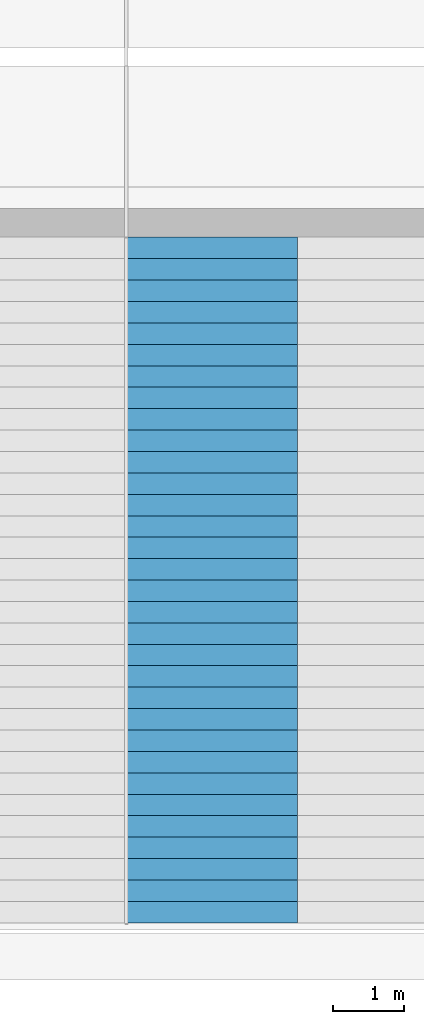
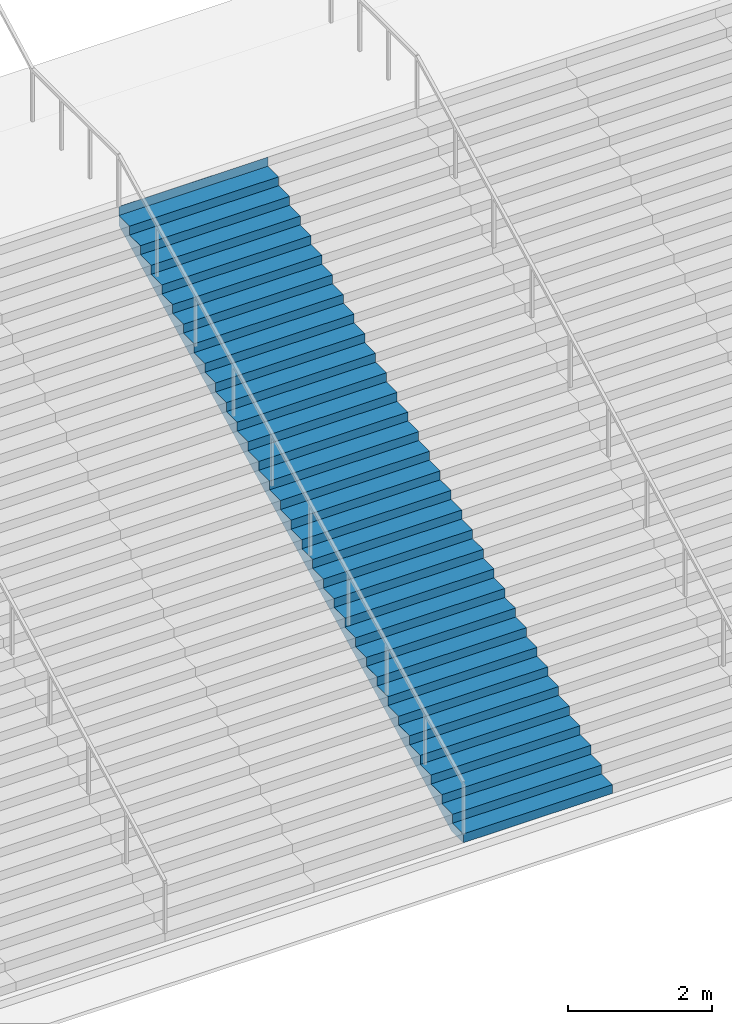
# One storey, part 35 of 57: 1 stair flight, 1 element without a shape of its own.
"""IFC4 building model written with IfcOpenShell, lengths in metres."""

from ifc_helpers import new_model, si_unit, direction, frame, origin, place, context, subcontext, project, spatial, triangles, material, type_object, element, aggregate, save


model = new_model("IFC4")

# Units and contexts
model_context = context("Model", 3, precision=1e-05, world=origin(), true_north=direction((0.0, 1.0)))
body_context = subcontext(model_context, "Body", "Model", "MODEL_VIEW")
ifc_project = project(units=[si_unit("LENGTHUNIT", "METRE"), si_unit("AREAUNIT", "SQUARE_METRE"), si_unit("VOLUMEUNIT", "CUBIC_METRE"), si_unit("PLANEANGLEUNIT", "RADIAN"), si_unit("MASSUNIT", "GRAM", prefix="KILO")], contexts=[model_context])

# Site, building, storey
site_placement = place(None, origin())
site = spatial("IfcSite", under=ifc_project, at=site_placement, CompositionType="ELEMENT")
building_placement = place(site_placement, origin())
building = spatial("IfcBuilding", under=site, at=building_placement, Name="Beryl Residences", CompositionType="ELEMENT")
storey_placement = place(building_placement, origin())
storey = spatial("IfcBuildingStorey", under=building, at=storey_placement, Name="L00", CompositionType="ELEMENT", Elevation=0.0)

# Stair, stair flight
ifc_material_1 = material(Name="Precast concrete C40/50", Category="concrete")
stair_type = type_object("IfcStairType", Name="GS1 garden stair", PredefinedType="STRAIGHT_RUN_STAIR", material=ifc_material_1)
stair_placement = place(storey_placement, origin())
stair = element("IfcStair", 1, at=stair_placement, inside=storey, type_object=stair_type, Name="GS1 garden stair", PredefinedType="STRAIGHT_RUN_STAIR")
ifc_material_2 = material(Name="Precast concrete C40/50", Category="concrete")
stair_flight_type = type_object("IfcStairFlightType", Name="GF1 garden stair flight", PredefinedType="STRAIGHT", material=ifc_material_2)
stair_flight_placement = place(storey_placement, frame((1.199951171875, -54.199951171875, 0.0), z_axis=(0.0, 0.0, 1.0), x_axis=(0.0, 1.0, 0.0)))
stair_flight = element("IfcStairFlight", 2, at=stair_flight_placement, type_object=stair_flight_type, Name="GS1 flight 6", NumberOfRisers=33, NumberOfTreads=32, PredefinedType="STRAIGHT", RiserHeight=0.151515152, TreadLength=0.3, context=body_context, shape_type="Tessellation", body=[
    triangles([(0.0, -1.199951171875, 0.0), (0.0, -0.60009765625, 0.0), (0.0, 0.0, 0.0), (0.0, 0.60009765625, 0.0), (0.0, 1.199951171875, 0.0), (0.0, -1.199951171875, 0.151611328125), (0.0, -0.60009765625, 0.151611328125), (0.0, 0.0, 0.151611328125), (0.0, 0.60009765625, 0.151611328125), (0.0, 1.199951171875, 0.151611328125), (0.300048828125, -1.199951171875, 0.151611328125), (0.300048828125, -0.60009765625, 0.151611328125), (0.300048828125, 0.0, 0.151611328125), (0.300048828125, 0.60009765625, 0.151611328125), (0.300048828125, 1.199951171875, 0.151611328125), (0.300048828125, -1.199951171875, 0.302978515625), (0.300048828125, -0.60009765625, 0.302978515625), (0.300048828125, 0.0, 0.302978515625), (0.300048828125, 0.60009765625, 0.302978515625), (0.300048828125, 1.199951171875, 0.302978515625), (0.60009765625, -1.199951171875, 0.302978515625), (0.60009765625, -0.60009765625, 0.302978515625), (0.60009765625, 0.0, 0.302978515625), (0.60009765625, 0.60009765625, 0.302978515625), (0.60009765625, 1.199951171875, 0.302978515625), (0.60009765625, -1.199951171875, 0.45458984375), (0.60009765625, -0.60009765625, 0.45458984375), (0.60009765625, 0.0, 0.45458984375), (0.60009765625, 0.60009765625, 0.45458984375), (0.60009765625, 1.199951171875, 0.45458984375), (0.89990234375, -1.199951171875, 0.45458984375), (0.89990234375, -0.60009765625, 0.45458984375), (0.89990234375, 0.0, 0.45458984375), (0.89990234375, 0.60009765625, 0.45458984375), (0.89990234375, 1.199951171875, 0.45458984375), (0.89990234375, -1.199951171875, 0.60595703125), (0.89990234375, -0.60009765625, 0.60595703125), (0.89990234375, 0.0, 0.60595703125), (0.89990234375, 0.60009765625, 0.60595703125), (0.89990234375, 1.199951171875, 0.60595703125), (1.199951171875, -1.199951171875, 0.60595703125), (1.199951171875, -0.60009765625, 0.60595703125), (1.199951171875, 0.0, 0.60595703125), (1.199951171875, 0.60009765625, 0.60595703125), (1.199951171875, 1.199951171875, 0.60595703125), (1.199951171875, -1.199951171875, 0.757568359375), (1.199951171875, -0.60009765625, 0.757568359375), (1.199951171875, 0.0, 0.757568359375), (1.199951171875, 0.60009765625, 0.757568359375), (1.199951171875, 1.199951171875, 0.757568359375), (1.5, -1.199951171875, 0.757568359375), (1.5, -0.60009765625, 0.757568359375), (1.5, 0.0, 0.757568359375), (1.5, 0.60009765625, 0.757568359375), (1.5, 1.199951171875, 0.757568359375), (1.5, -1.199951171875, 0.9091796875), (1.5, -0.60009765625, 0.9091796875), (1.5, 0.0, 0.9091796875), (1.5, 0.60009765625, 0.9091796875), (1.5, 1.199951171875, 0.9091796875), (1.800048828125, -1.199951171875, 0.9091796875), (1.800048828125, -0.60009765625, 0.9091796875), (1.800048828125, 0.0, 0.9091796875), (1.800048828125, 0.60009765625, 0.9091796875), (1.800048828125, 1.199951171875, 0.9091796875), (1.800048828125, -1.199951171875, 1.060546875), (1.800048828125, -0.60009765625, 1.060546875), (1.800048828125, 0.0, 1.060546875), (1.800048828125, 0.60009765625, 1.060546875), (1.800048828125, 1.199951171875, 1.060546875), (2.10009765625, -1.199951171875, 1.060546875), (2.10009765625, -0.60009765625, 1.060546875), (2.10009765625, 0.0, 1.060546875), (2.10009765625, 0.60009765625, 1.060546875), (2.10009765625, 1.199951171875, 1.060546875), (2.10009765625, -1.199951171875, 1.212158203125), (2.10009765625, -0.60009765625, 1.212158203125), (2.10009765625, 0.0, 1.212158203125), (2.10009765625, 0.60009765625, 1.212158203125), (2.10009765625, 1.199951171875, 1.212158203125), (2.39990234375, -1.199951171875, 1.212158203125), (2.39990234375, -0.60009765625, 1.212158203125), (2.39990234375, 0.0, 1.212158203125), (2.39990234375, 0.60009765625, 1.212158203125), (2.39990234375, 1.199951171875, 1.212158203125), (2.39990234375, -1.199951171875, 1.363525390625), (2.39990234375, -0.60009765625, 1.363525390625), (2.39990234375, 0.0, 1.363525390625), (2.39990234375, 0.60009765625, 1.363525390625), (2.39990234375, 1.199951171875, 1.363525390625), (2.699951171875, -1.199951171875, 1.363525390625), (2.699951171875, -0.60009765625, 1.363525390625), (2.699951171875, 0.0, 1.363525390625), (2.699951171875, 0.60009765625, 1.363525390625), (2.699951171875, 1.199951171875, 1.363525390625), (2.699951171875, -1.199951171875, 1.51513671875), (2.699951171875, -0.60009765625, 1.51513671875), (2.699951171875, 0.0, 1.51513671875), (2.699951171875, 0.60009765625, 1.51513671875), (2.699951171875, 1.199951171875, 1.51513671875), (3.0, -1.199951171875, 1.51513671875), (3.0, -0.60009765625, 1.51513671875), (3.0, 0.0, 1.51513671875), (3.0, 0.60009765625, 1.51513671875), (3.0, 1.199951171875, 1.51513671875), (3.0, -1.199951171875, 1.666748046875), (3.0, -0.60009765625, 1.666748046875), (3.0, 0.0, 1.666748046875), (3.0, 0.60009765625, 1.666748046875), (3.0, 1.199951171875, 1.666748046875), (3.300048828125, -1.199951171875, 1.666748046875), (3.300048828125, -0.60009765625, 1.666748046875), (3.300048828125, 0.0, 1.666748046875), (3.300048828125, 0.60009765625, 1.666748046875), (3.300048828125, 1.199951171875, 1.666748046875), (3.300048828125, -1.199951171875, 1.818115234375), (3.300048828125, -0.60009765625, 1.818115234375), (3.300048828125, 0.0, 1.818115234375), (3.300048828125, 0.60009765625, 1.818115234375), (3.300048828125, 1.199951171875, 1.818115234375), (3.60009765625, -1.199951171875, 1.818115234375), (3.60009765625, -0.60009765625, 1.818115234375), (3.60009765625, 0.0, 1.818115234375), (3.60009765625, 0.60009765625, 1.818115234375), (3.60009765625, 1.199951171875, 1.818115234375), (3.60009765625, -1.199951171875, 1.9697265625), (3.60009765625, -0.60009765625, 1.9697265625), (3.60009765625, 0.0, 1.9697265625), (3.60009765625, 0.60009765625, 1.9697265625), (3.60009765625, 1.199951171875, 1.9697265625), (3.89990234375, -1.199951171875, 1.9697265625), (3.89990234375, -0.60009765625, 1.9697265625), (3.89990234375, 0.0, 1.9697265625), (3.89990234375, 0.60009765625, 1.9697265625), (3.89990234375, 1.199951171875, 1.9697265625), (3.89990234375, -1.199951171875, 2.12109375), (3.89990234375, -0.60009765625, 2.12109375), (3.89990234375, 0.0, 2.12109375), (3.89990234375, 0.60009765625, 2.12109375), (3.89990234375, 1.199951171875, 2.12109375), (4.199951171875, -1.199951171875, 2.12109375), (4.199951171875, -0.60009765625, 2.12109375), (4.199951171875, 0.0, 2.12109375), (4.199951171875, 0.60009765625, 2.12109375), (4.199951171875, 1.199951171875, 2.12109375), (4.199951171875, -1.199951171875, 2.272705078125), (4.199951171875, -0.60009765625, 2.272705078125), (4.199951171875, 0.0, 2.272705078125), (4.199951171875, 0.60009765625, 2.272705078125), (4.199951171875, 1.199951171875, 2.272705078125), (4.5, -1.199951171875, 2.272705078125), (4.5, -0.60009765625, 2.272705078125), (4.5, 0.0, 2.272705078125), (4.5, 0.60009765625, 2.272705078125), (4.5, 1.199951171875, 2.272705078125), (4.5, -1.199951171875, 2.42431640625), (4.5, -0.60009765625, 2.42431640625), (4.5, 0.0, 2.42431640625), (4.5, 0.60009765625, 2.42431640625), (4.5, 1.199951171875, 2.42431640625), (4.800048828125, -1.199951171875, 2.42431640625), (4.800048828125, -0.60009765625, 2.42431640625), (4.800048828125, 0.0, 2.42431640625), (4.800048828125, 0.60009765625, 2.42431640625), (4.800048828125, 1.199951171875, 2.42431640625), (4.800048828125, -1.199951171875, 2.57568359375), (4.800048828125, -0.60009765625, 2.57568359375), (4.800048828125, 0.0, 2.57568359375), (4.800048828125, 0.60009765625, 2.57568359375), (4.800048828125, 1.199951171875, 2.57568359375), (5.10009765625, -1.199951171875, 2.57568359375), (5.10009765625, -0.60009765625, 2.57568359375), (5.10009765625, 0.0, 2.57568359375), (5.10009765625, 0.60009765625, 2.57568359375), (5.10009765625, 1.199951171875, 2.57568359375), (5.10009765625, -1.199951171875, 2.727294921875), (5.10009765625, -0.60009765625, 2.727294921875), (5.10009765625, 0.0, 2.727294921875), (5.10009765625, 0.60009765625, 2.727294921875), (5.10009765625, 1.199951171875, 2.727294921875), (5.39990234375, -1.199951171875, 2.727294921875), (5.39990234375, -0.60009765625, 2.727294921875), (5.39990234375, 0.0, 2.727294921875), (5.39990234375, 0.60009765625, 2.727294921875), (5.39990234375, 1.199951171875, 2.727294921875), (5.39990234375, -1.199951171875, 2.87890625), (5.39990234375, -0.60009765625, 2.87890625), (5.39990234375, 0.0, 2.87890625), (5.39990234375, 0.60009765625, 2.87890625), (5.39990234375, 1.199951171875, 2.87890625), (5.699951171875, -1.199951171875, 2.87890625), (5.699951171875, -0.60009765625, 2.87890625), (5.699951171875, 0.0, 2.87890625), (5.699951171875, 0.60009765625, 2.87890625), (5.699951171875, 1.199951171875, 2.87890625), (5.699951171875, -1.199951171875, 3.0302734375), (5.699951171875, -0.60009765625, 3.0302734375), (5.699951171875, 0.0, 3.0302734375), (5.699951171875, 0.60009765625, 3.0302734375), (5.699951171875, 1.199951171875, 3.0302734375), (6.0, -1.199951171875, 3.0302734375), (6.0, -0.60009765625, 3.0302734375), (6.0, 0.0, 3.0302734375), (6.0, 0.60009765625, 3.0302734375), (6.0, 1.199951171875, 3.0302734375), (6.0, -1.199951171875, 3.181884765625), (6.0, -0.60009765625, 3.181884765625), (6.0, 0.0, 3.181884765625), (6.0, 0.60009765625, 3.181884765625), (6.0, 1.199951171875, 3.181884765625), (6.300048828125, -1.199951171875, 3.181884765625), (6.300048828125, -0.60009765625, 3.181884765625), (6.300048828125, 0.0, 3.181884765625), (6.300048828125, 0.60009765625, 3.181884765625), (6.300048828125, 1.199951171875, 3.181884765625), (6.300048828125, -1.199951171875, 3.333251953125), (6.300048828125, -0.60009765625, 3.333251953125), (6.300048828125, 0.0, 3.333251953125), (6.300048828125, 0.60009765625, 3.333251953125), (6.300048828125, 1.199951171875, 3.333251953125), (6.60009765625, -1.199951171875, 3.333251953125), (6.60009765625, -0.60009765625, 3.333251953125), (6.60009765625, 0.0, 3.333251953125), (6.60009765625, 0.60009765625, 3.333251953125), (6.60009765625, 1.199951171875, 3.333251953125), (6.60009765625, -1.199951171875, 3.48486328125), (6.60009765625, -0.60009765625, 3.48486328125), (6.60009765625, 0.0, 3.48486328125), (6.60009765625, 0.60009765625, 3.48486328125), (6.60009765625, 1.199951171875, 3.48486328125), (6.89990234375, -1.199951171875, 3.48486328125), (6.89990234375, -0.60009765625, 3.48486328125), (6.89990234375, 0.0, 3.48486328125), (6.89990234375, 0.60009765625, 3.48486328125), (6.89990234375, 1.199951171875, 3.48486328125), (6.89990234375, -1.199951171875, 3.636474609375), (6.89990234375, -0.60009765625, 3.636474609375), (6.89990234375, 0.0, 3.636474609375), (6.89990234375, 0.60009765625, 3.636474609375), (6.89990234375, 1.199951171875, 3.636474609375), (7.199951171875, -1.199951171875, 3.636474609375), (7.199951171875, -0.60009765625, 3.636474609375), (7.199951171875, 0.0, 3.636474609375), (7.199951171875, 0.60009765625, 3.636474609375), (7.199951171875, 1.199951171875, 3.636474609375), (7.199951171875, -1.199951171875, 3.787841796875), (7.199951171875, -0.60009765625, 3.787841796875), (7.199951171875, 0.0, 3.787841796875), (7.199951171875, 0.60009765625, 3.787841796875), (7.199951171875, 1.199951171875, 3.787841796875), (7.5, -1.199951171875, 3.787841796875), (7.5, -0.60009765625, 3.787841796875), (7.5, 0.0, 3.787841796875), (7.5, 0.60009765625, 3.787841796875), (7.5, 1.199951171875, 3.787841796875), (7.5, -1.199951171875, 3.939453125), (7.5, -0.60009765625, 3.939453125), (7.5, 0.0, 3.939453125), (7.5, 0.60009765625, 3.939453125), (7.5, 1.199951171875, 3.939453125), (7.800048828125, -1.199951171875, 3.939453125), (7.800048828125, -0.60009765625, 3.939453125), (7.800048828125, 0.0, 3.939453125), (7.800048828125, 0.60009765625, 3.939453125), (7.800048828125, 1.199951171875, 3.939453125), (7.800048828125, -1.199951171875, 4.0908203125), (7.800048828125, -0.60009765625, 4.0908203125), (7.800048828125, 0.0, 4.0908203125), (7.800048828125, 0.60009765625, 4.0908203125), (7.800048828125, 1.199951171875, 4.0908203125), (8.10009765625, -1.199951171875, 4.0908203125), (8.10009765625, -0.60009765625, 4.0908203125), (8.10009765625, 0.0, 4.0908203125), (8.10009765625, 0.60009765625, 4.0908203125), (8.10009765625, 1.199951171875, 4.0908203125), (8.10009765625, -1.199951171875, 4.242431640625), (8.10009765625, -0.60009765625, 4.242431640625), (8.10009765625, 0.0, 4.242431640625), (8.10009765625, 0.60009765625, 4.242431640625), (8.10009765625, 1.199951171875, 4.242431640625), (8.39990234375, -1.199951171875, 4.242431640625), (8.39990234375, -0.60009765625, 4.242431640625), (8.39990234375, 0.0, 4.242431640625), (8.39990234375, 0.60009765625, 4.242431640625), (8.39990234375, 1.199951171875, 4.242431640625), (8.39990234375, -1.199951171875, 4.39404296875), (8.39990234375, -0.60009765625, 4.39404296875), (8.39990234375, 0.0, 4.39404296875), (8.39990234375, 0.60009765625, 4.39404296875), (8.39990234375, 1.199951171875, 4.39404296875), (8.699951171875, -1.199951171875, 4.39404296875), (8.699951171875, -0.60009765625, 4.39404296875), (8.699951171875, 0.0, 4.39404296875), (8.699951171875, 0.60009765625, 4.39404296875), (8.699951171875, 1.199951171875, 4.39404296875), (8.699951171875, -1.199951171875, 4.54541015625), (8.699951171875, -0.60009765625, 4.54541015625), (8.699951171875, 0.0, 4.54541015625), (8.699951171875, 0.60009765625, 4.54541015625), (8.699951171875, 1.199951171875, 4.54541015625), (9.0, -1.199951171875, 4.54541015625), (9.0, -0.60009765625, 4.54541015625), (9.0, 0.0, 4.54541015625), (9.0, 0.60009765625, 4.54541015625), (9.0, 1.199951171875, 4.54541015625), (9.0, -1.199951171875, 4.697021484375), (9.0, -0.60009765625, 4.697021484375), (9.0, 0.0, 4.697021484375), (9.0, 0.60009765625, 4.697021484375), (9.0, 1.199951171875, 4.697021484375), (9.300048828125, -1.199951171875, 4.697021484375), (9.300048828125, -0.60009765625, 4.697021484375), (9.300048828125, 0.0, 4.697021484375), (9.300048828125, 0.60009765625, 4.697021484375), (9.300048828125, 1.199951171875, 4.697021484375), (9.300048828125, -1.199951171875, 4.848388671875), (9.300048828125, -0.60009765625, 4.848388671875), (9.300048828125, 0.0, 4.848388671875), (9.300048828125, 0.60009765625, 4.848388671875), (9.300048828125, 1.199951171875, 4.848388671875), (9.60009765625, -1.199951171875, 4.848388671875), (9.60009765625, -0.60009765625, 4.848388671875), (9.60009765625, 0.0, 4.848388671875), (9.60009765625, 0.60009765625, 4.848388671875), (9.60009765625, 1.199951171875, 4.848388671875), (9.60009765625, -1.199951171875, 5.0), (9.60009765625, -0.60009765625, 5.0), (9.60009765625, 0.0, 5.0), (9.60009765625, 0.60009765625, 5.0), (9.60009765625, 1.199951171875, 5.0), (9.60107421875, -1.199951171875, 5.0), (9.60107421875, -0.60009765625, 5.0), (9.60107421875, 0.0, 5.0), (9.60107421875, 0.60009765625, 5.0), (9.60107421875, 1.199951171875, 5.0), (9.60107421875, -1.199951171875, 4.6806640625), (9.60107421875, -0.60009765625, 4.6806640625), (9.60107421875, 0.0, 4.6806640625), (9.60107421875, 0.60009765625, 4.6806640625), (9.60107421875, 1.199951171875, 4.6806640625), (0.33349609375, -1.199951171875, 0.0), (0.33349609375, -0.60009765625, 0.0), (0.33349609375, 0.0, 0.0), (0.33349609375, 0.60009765625, 0.0), (0.33349609375, 1.199951171875, 0.0)], [[1, 6, 7], [1, 7, 2], [2, 7, 8], [2, 8, 3], [3, 8, 9], [3, 9, 4], [4, 9, 10], [4, 10, 5], [6, 11, 12], [6, 12, 7], [7, 12, 13], [7, 13, 8], [8, 13, 14], [8, 14, 9], [9, 14, 15], [9, 15, 10], [11, 16, 17], [11, 17, 12], [12, 17, 18], [12, 18, 13], [13, 18, 19], [13, 19, 14], [14, 19, 20], [14, 20, 15], [16, 21, 22], [16, 22, 17], [17, 22, 23], [17, 23, 18], [18, 23, 24], [18, 24, 19], [19, 24, 25], [19, 25, 20], [21, 26, 27], [21, 27, 22], [22, 27, 28], [22, 28, 23], [23, 28, 29], [23, 29, 24], [24, 29, 30], [24, 30, 25], [26, 31, 32], [26, 32, 27], [27, 32, 33], [27, 33, 28], [28, 33, 34], [28, 34, 29], [29, 34, 35], [29, 35, 30], [31, 36, 37], [31, 37, 32], [32, 37, 38], [32, 38, 33], [33, 38, 39], [33, 39, 34], [34, 39, 40], [34, 40, 35], [36, 41, 42], [36, 42, 37], [37, 42, 43], [37, 43, 38], [38, 43, 44], [38, 44, 39], [39, 44, 45], [39, 45, 40], [41, 46, 47], [41, 47, 42], [42, 47, 48], [42, 48, 43], [43, 48, 49], [43, 49, 44], [44, 49, 50], [44, 50, 45], [46, 51, 52], [46, 52, 47], [47, 52, 53], [47, 53, 48], [48, 53, 54], [48, 54, 49], [49, 54, 55], [49, 55, 50], [51, 56, 57], [51, 57, 52], [52, 57, 58], [52, 58, 53], [53, 58, 59], [53, 59, 54], [54, 59, 60], [54, 60, 55], [56, 61, 62], [56, 62, 57], [57, 62, 63], [57, 63, 58], [58, 63, 64], [58, 64, 59], [59, 64, 65], [59, 65, 60], [61, 66, 67], [61, 67, 62], [62, 67, 68], [62, 68, 63], [63, 68, 69], [63, 69, 64], [64, 69, 70], [64, 70, 65], [66, 71, 72], [66, 72, 67], [67, 72, 73], [67, 73, 68], [68, 73, 74], [68, 74, 69], [69, 74, 75], [69, 75, 70], [71, 76, 77], [71, 77, 72], [72, 77, 78], [72, 78, 73], [73, 78, 79], [73, 79, 74], [74, 79, 80], [74, 80, 75], [76, 81, 82], [76, 82, 77], [77, 82, 83], [77, 83, 78], [78, 83, 84], [78, 84, 79], [79, 84, 85], [79, 85, 80], [81, 86, 87], [81, 87, 82], [82, 87, 88], [82, 88, 83], [83, 88, 89], [83, 89, 84], [84, 89, 90], [84, 90, 85], [86, 91, 92], [86, 92, 87], [87, 92, 93], [87, 93, 88], [88, 93, 94], [88, 94, 89], [89, 94, 95], [89, 95, 90], [91, 96, 97], [91, 97, 92], [92, 97, 98], [92, 98, 93], [93, 98, 99], [93, 99, 94], [94, 99, 100], [94, 100, 95], [96, 101, 102], [96, 102, 97], [97, 102, 103], [97, 103, 98], [98, 103, 104], [98, 104, 99], [99, 104, 105], [99, 105, 100], [101, 106, 107], [101, 107, 102], [102, 107, 108], [102, 108, 103], [103, 108, 109], [103, 109, 104], [104, 109, 110], [104, 110, 105], [106, 111, 112], [106, 112, 107], [107, 112, 113], [107, 113, 108], [108, 113, 114], [108, 114, 109], [109, 114, 115], [109, 115, 110], [111, 116, 117], [111, 117, 112], [112, 117, 118], [112, 118, 113], [113, 118, 119], [113, 119, 114], [114, 119, 120], [114, 120, 115], [116, 121, 122], [116, 122, 117], [117, 122, 123], [117, 123, 118], [118, 123, 124], [118, 124, 119], [119, 124, 125], [119, 125, 120], [121, 126, 127], [121, 127, 122], [122, 127, 128], [122, 128, 123], [123, 128, 129], [123, 129, 124], [124, 129, 130], [124, 130, 125], [126, 131, 132], [126, 132, 127], [127, 132, 133], [127, 133, 128], [128, 133, 134], [128, 134, 129], [129, 134, 135], [129, 135, 130], [131, 136, 137], [131, 137, 132], [132, 137, 138], [132, 138, 133], [133, 138, 139], [133, 139, 134], [134, 139, 140], [134, 140, 135], [136, 141, 142], [136, 142, 137], [137, 142, 143], [137, 143, 138], [138, 143, 144], [138, 144, 139], [139, 144, 145], [139, 145, 140], [141, 146, 147], [141, 147, 142], [142, 147, 148], [142, 148, 143], [143, 148, 149], [143, 149, 144], [144, 149, 150], [144, 150, 145], [146, 151, 152], [146, 152, 147], [147, 152, 153], [147, 153, 148], [148, 153, 154], [148, 154, 149], [149, 154, 155], [149, 155, 150], [151, 156, 157], [151, 157, 152], [152, 157, 158], [152, 158, 153], [153, 158, 159], [153, 159, 154], [154, 159, 160], [154, 160, 155], [156, 161, 162], [156, 162, 157], [157, 162, 163], [157, 163, 158], [158, 163, 164], [158, 164, 159], [159, 164, 165], [159, 165, 160], [161, 166, 167], [161, 167, 162], [162, 167, 168], [162, 168, 163], [163, 168, 169], [163, 169, 164], [164, 169, 170], [164, 170, 165], [166, 171, 172], [166, 172, 167], [167, 172, 173], [167, 173, 168], [168, 173, 174], [168, 174, 169], [169, 174, 175], [169, 175, 170], [171, 176, 177], [171, 177, 172], [172, 177, 178], [172, 178, 173], [173, 178, 179], [173, 179, 174], [174, 179, 180], [174, 180, 175], [176, 181, 182], [176, 182, 177], [177, 182, 183], [177, 183, 178], [178, 183, 184], [178, 184, 179], [179, 184, 185], [179, 185, 180], [181, 186, 187], [181, 187, 182], [182, 187, 188], [182, 188, 183], [183, 188, 189], [183, 189, 184], [184, 189, 190], [184, 190, 185], [186, 191, 192], [186, 192, 187], [187, 192, 193], [187, 193, 188], [188, 193, 194], [188, 194, 189], [189, 194, 195], [189, 195, 190], [191, 196, 197], [191, 197, 192], [192, 197, 198], [192, 198, 193], [193, 198, 199], [193, 199, 194], [194, 199, 200], [194, 200, 195], [196, 201, 202], [196, 202, 197], [197, 202, 203], [197, 203, 198], [198, 203, 204], [198, 204, 199], [199, 204, 205], [199, 205, 200], [201, 206, 207], [201, 207, 202], [202, 207, 208], [202, 208, 203], [203, 208, 209], [203, 209, 204], [204, 209, 210], [204, 210, 205], [206, 211, 212], [206, 212, 207], [207, 212, 213], [207, 213, 208], [208, 213, 214], [208, 214, 209], [209, 214, 215], [209, 215, 210], [211, 216, 217], [211, 217, 212], [212, 217, 218], [212, 218, 213], [213, 218, 219], [213, 219, 214], [214, 219, 220], [214, 220, 215], [216, 221, 222], [216, 222, 217], [217, 222, 223], [217, 223, 218], [218, 223, 224], [218, 224, 219], [219, 224, 225], [219, 225, 220], [221, 226, 227], [221, 227, 222], [222, 227, 228], [222, 228, 223], [223, 228, 229], [223, 229, 224], [224, 229, 230], [224, 230, 225], [226, 231, 232], [226, 232, 227], [227, 232, 233], [227, 233, 228], [228, 233, 234], [228, 234, 229], [229, 234, 235], [229, 235, 230], [231, 236, 237], [231, 237, 232], [232, 237, 238], [232, 238, 233], [233, 238, 239], [233, 239, 234], [234, 239, 240], [234, 240, 235], [236, 241, 242], [236, 242, 237], [237, 242, 243], [237, 243, 238], [238, 243, 244], [238, 244, 239], [239, 244, 245], [239, 245, 240], [241, 246, 247], [241, 247, 242], [242, 247, 248], [242, 248, 243], [243, 248, 249], [243, 249, 244], [244, 249, 250], [244, 250, 245], [246, 251, 252], [246, 252, 247], [247, 252, 253], [247, 253, 248], [248, 253, 254], [248, 254, 249], [249, 254, 255], [249, 255, 250], [251, 256, 257], [251, 257, 252], [252, 257, 258], [252, 258, 253], [253, 258, 259], [253, 259, 254], [254, 259, 260], [254, 260, 255], [256, 261, 262], [256, 262, 257], [257, 262, 263], [257, 263, 258], [258, 263, 264], [258, 264, 259], [259, 264, 265], [259, 265, 260], [261, 266, 267], [261, 267, 262], [262, 267, 268], [262, 268, 263], [263, 268, 269], [263, 269, 264], [264, 269, 270], [264, 270, 265], [266, 271, 272], [266, 272, 267], [267, 272, 273], [267, 273, 268], [268, 273, 274], [268, 274, 269], [269, 274, 275], [269, 275, 270], [271, 276, 277], [271, 277, 272], [272, 277, 278], [272, 278, 273], [273, 278, 279], [273, 279, 274], [274, 279, 280], [274, 280, 275], [276, 281, 282], [276, 282, 277], [277, 282, 283], [277, 283, 278], [278, 283, 284], [278, 284, 279], [279, 284, 285], [279, 285, 280], [281, 286, 287], [281, 287, 282], [282, 287, 288], [282, 288, 283], [283, 288, 289], [283, 289, 284], [284, 289, 290], [284, 290, 285], [286, 291, 292], [286, 292, 287], [287, 292, 293], [287, 293, 288], [288, 293, 294], [288, 294, 289], [289, 294, 295], [289, 295, 290], [291, 296, 297], [291, 297, 292], [292, 297, 298], [292, 298, 293], [293, 298, 299], [293, 299, 294], [294, 299, 300], [294, 300, 295], [296, 301, 302], [296, 302, 297], [297, 302, 303], [297, 303, 298], [298, 303, 304], [298, 304, 299], [299, 304, 305], [299, 305, 300], [301, 306, 307], [301, 307, 302], [302, 307, 308], [302, 308, 303], [303, 308, 309], [303, 309, 304], [304, 309, 310], [304, 310, 305], [306, 311, 312], [306, 312, 307], [307, 312, 313], [307, 313, 308], [308, 313, 314], [308, 314, 309], [309, 314, 315], [309, 315, 310], [311, 316, 317], [311, 317, 312], [312, 317, 318], [312, 318, 313], [313, 318, 319], [313, 319, 314], [314, 319, 320], [314, 320, 315], [316, 321, 322], [316, 322, 317], [317, 322, 323], [317, 323, 318], [318, 323, 324], [318, 324, 319], [319, 324, 325], [319, 325, 320], [321, 326, 327], [321, 327, 322], [322, 327, 328], [322, 328, 323], [323, 328, 329], [323, 329, 324], [324, 329, 330], [324, 330, 325], [326, 331, 332], [326, 332, 327], [327, 332, 333], [327, 333, 328], [328, 333, 334], [328, 334, 329], [329, 334, 335], [329, 335, 330], [331, 336, 337], [331, 337, 332], [332, 337, 338], [332, 338, 333], [333, 338, 339], [333, 339, 334], [334, 339, 340], [334, 340, 335], [336, 341, 342], [336, 342, 337], [337, 342, 343], [337, 343, 338], [338, 343, 344], [338, 344, 339], [339, 344, 345], [339, 345, 340], [341, 1, 2], [341, 2, 342], [342, 2, 3], [342, 3, 343], [343, 3, 4], [343, 4, 344], [344, 4, 5], [344, 5, 345], [1, 341, 336], [5, 340, 345], [336, 331, 326], [340, 330, 335], [336, 326, 321], [340, 325, 330], [336, 321, 316], [340, 320, 325], [336, 316, 311], [340, 315, 320], [336, 311, 306], [340, 310, 315], [336, 306, 301], [340, 305, 310], [301, 296, 291], [305, 295, 300], [336, 301, 291], [340, 295, 305], [291, 286, 281], [295, 285, 290], [336, 291, 281], [340, 285, 295], [281, 276, 271], [285, 275, 280], [336, 281, 271], [340, 275, 285], [271, 266, 261], [275, 265, 270], [336, 271, 261], [340, 265, 275], [261, 256, 251], [265, 255, 260], [336, 261, 251], [340, 255, 265], [251, 246, 241], [255, 245, 250], [336, 251, 241], [340, 245, 255], [241, 236, 231], [245, 235, 240], [336, 241, 231], [340, 235, 245], [231, 226, 221], [235, 225, 230], [336, 231, 221], [340, 225, 235], [221, 216, 211], [225, 215, 220], [336, 221, 211], [340, 215, 225], [211, 206, 201], [215, 205, 210], [336, 211, 201], [340, 205, 215], [201, 196, 191], [205, 195, 200], [336, 201, 191], [340, 195, 205], [191, 186, 181], [195, 185, 190], [336, 191, 181], [340, 185, 195], [181, 176, 171], [185, 175, 180], [336, 181, 171], [340, 175, 185], [171, 166, 161], [175, 165, 170], [336, 171, 161], [340, 165, 175], [161, 156, 151], [165, 155, 160], [336, 161, 151], [340, 155, 165], [151, 146, 141], [155, 145, 150], [336, 151, 141], [340, 145, 155], [141, 136, 131], [145, 135, 140], [336, 141, 131], [340, 135, 145], [131, 126, 121], [135, 125, 130], [336, 131, 121], [340, 125, 135], [121, 116, 111], [125, 115, 120], [336, 121, 111], [340, 115, 125], [111, 106, 101], [115, 105, 110], [336, 111, 101], [340, 105, 115], [101, 96, 91], [105, 95, 100], [336, 101, 91], [340, 95, 105], [91, 86, 81], [95, 85, 90], [336, 91, 81], [340, 85, 95], [81, 76, 71], [85, 75, 80], [336, 81, 71], [340, 75, 85], [71, 66, 61], [75, 65, 70], [336, 71, 61], [340, 65, 75], [61, 56, 51], [65, 55, 60], [336, 61, 51], [340, 55, 65], [51, 46, 41], [55, 45, 50], [336, 51, 41], [340, 45, 55], [41, 36, 31], [45, 35, 40], [336, 41, 31], [340, 35, 45], [31, 26, 21], [35, 25, 30], [336, 31, 21], [340, 25, 35], [1, 336, 21], [5, 25, 340], [21, 16, 11], [25, 15, 20], [1, 21, 11], [5, 15, 25], [11, 6, 1], [15, 5, 10]], closed=True),
])
aggregate(stair, [stair_flight])

save(model, "model.ifc")
